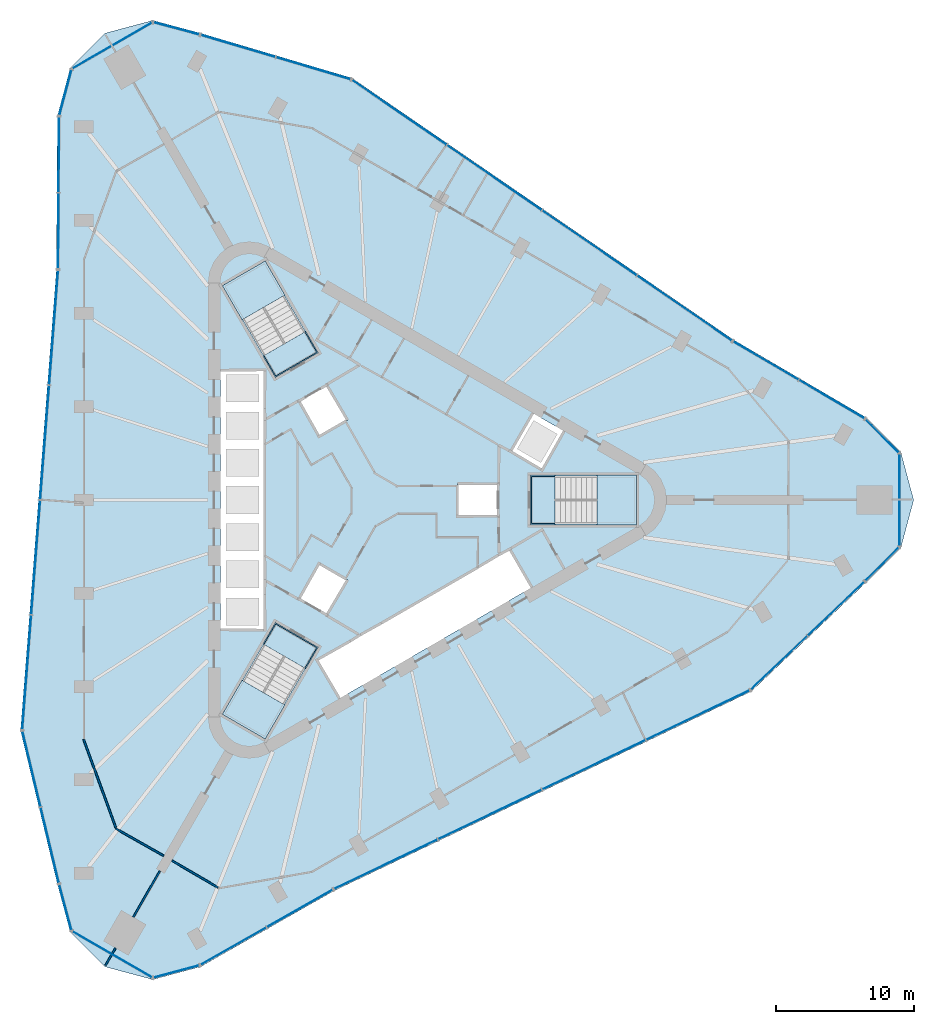
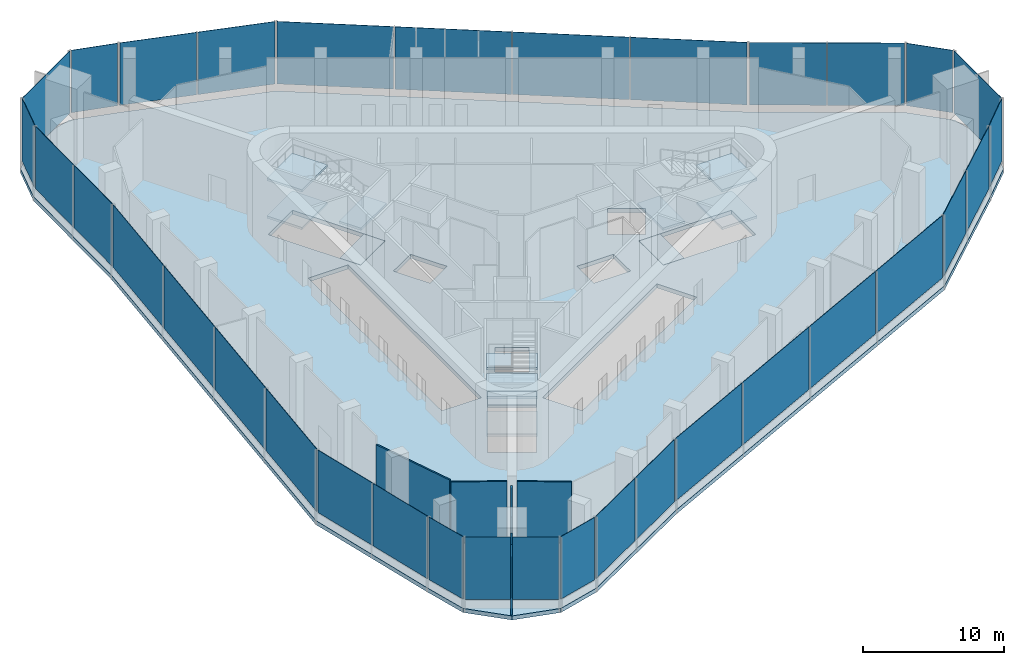
# One storey, part 7 of 15: 33 plates, 13 slabs, 5 walls, 21 elements without a shape of their own.
"""IFC4 building model written with IfcOpenShell, lengths in metres."""

from ifc_helpers import new_model, si_unit, direction, frame, frame_2d, origin, origin_2d, place, context, subcontext, project, spatial, polyline, rectangle, outline, extrude, material, layer, layer_set, type_object, element, aggregate, save


model = new_model("IFC4")

# Units and contexts
model_context = context("Model", 3, precision=1e-05, world=origin(), true_north=direction((0.0, 1.0)))
body_context = subcontext(model_context, "Body", "Model", "MODEL_VIEW")
ifc_project = project(units=[si_unit("LENGTHUNIT", "METRE"), si_unit("AREAUNIT", "SQUARE_METRE"), si_unit("VOLUMEUNIT", "CUBIC_METRE"), si_unit("PLANEANGLEUNIT", "RADIAN"), si_unit("MASSUNIT", "GRAM", prefix="KILO")], contexts=[model_context])

# Site, building, storey
site_placement = place(None, origin())
site = spatial("IfcSite", under=ifc_project, at=site_placement, CompositionType="ELEMENT")
building_placement = place(site_placement, origin())
building = spatial("IfcBuilding", under=site, at=building_placement, Name="Tanit Gate Tower", CompositionType="ELEMENT")
storey_placement = place(building_placement, frame((0.0, 0.0, 277.199951171875)))
storey = spatial("IfcBuildingStorey", under=building, at=storey_placement, Name="L63", CompositionType="ELEMENT", Elevation=277.199951171875)

# Curtain wall, plates
ifc_material_1 = material(Name="Aluminium bronze anodised and glass", Category="aluminium")
curtain_wall_type = type_object("IfcCurtainWallType", Name="Curtain wall sky lobby", PredefinedType="NOTDEFINED", material=ifc_material_1)
curtain_wall_1_placement = place(storey_placement, origin())
curtain_wall_1 = element("IfcCurtainWall", 1, at=curtain_wall_1_placement, inside=storey, type_object=curtain_wall_type, Name="Curtain wall L63 NE1", PredefinedType="NOTDEFINED")
ifc_material_2 = material(Name="Glass tinted laminated safety", Category="glass")
ifc_layer_1 = layer(ifc_material_2, 0.035888671875)
ifc_layer_set_1 = layer_set([ifc_layer_1], Name="Glass panel 36 sky lobby")
plate_type = type_object("IfcPlateType", Name="Glass panel 36 sky lobby", PredefinedType="CURTAIN_PANEL", material=ifc_layer_set_1)
plate_1_placement = place(storey_placement, frame((33.1640625, 7.317626953125, 0.7001953125), z_axis=(0.0, 0.0, 1.0), x_axis=(-0.862821001903, 0.505509563386, 0.0)))
plate_1 = element("IfcPlate", 2, at=plate_1_placement, type_object=plate_type, Name="Glass panel L63 NE1.1", PredefinedType="CURTAIN_PANEL", context=body_context, shape_type="SweptSolid", body=[
    extrude(rectangle(XDim=5.451416015625, YDim=0.035888671875, at=origin_2d()), origin(), (0.0, 0.0, 1.0), 5.39990234375),
])
plate_2_placement = place(storey_placement, frame((28.3916015625, 10.11376953125, 0.7001953125), z_axis=(0.0, 0.0, 1.0), x_axis=(-0.862821001903, 0.505509563386, 0.0)))
plate_2 = element("IfcPlate", 3, at=plate_2_placement, type_object=plate_type, Name="Glass panel L63 NE1.2", PredefinedType="CURTAIN_PANEL", context=body_context, shape_type="SweptSolid", body=[
    extrude(rectangle(XDim=5.451416015625, YDim=0.035888671875, at=origin_2d()), origin(), (0.0, 0.0, 1.0), 5.39990234375),
])
aggregate(curtain_wall_1, [plate_1, plate_2])

curtain_wall_2_placement = place(storey_placement, origin())
curtain_wall_2 = element("IfcCurtainWall", 4, at=curtain_wall_2_placement, inside=storey, type_object=curtain_wall_type, Name="Curtain wall L63 NE2", PredefinedType="NOTDEFINED")
plate_3_placement = place(storey_placement, frame((22.48828125, 13.921630859375, 0.7001953125), z_axis=(0.0, 0.0, 1.0), x_axis=(-0.824556572821, 0.565779513784, 0.0)))
plate_3 = element("IfcPlate", 5, at=plate_3_placement, type_object=plate_type, Name="Glass panel L63 NE2.1", PredefinedType="CURTAIN_PANEL", context=body_context, shape_type="SweptSolid", body=[
    extrude(rectangle(XDim=8.286865234375, YDim=0.035888671875, at=origin_2d()), origin(), (0.0, 0.0, 1.0), 5.39990234375),
])
plate_4_placement = place(storey_placement, frame((15.58935546875, 18.655517578125, 0.7001953125), z_axis=(0.0, 0.0, 1.0), x_axis=(-0.824556572821, 0.565779513784, 0.0)))
plate_4 = element("IfcPlate", 6, at=plate_4_placement, type_object=plate_type, Name="Glass panel L63 NE2.2", PredefinedType="CURTAIN_PANEL", context=body_context, shape_type="SweptSolid", body=[
    extrude(rectangle(XDim=8.286865234375, YDim=0.035888671875, at=origin_2d()), origin(), (0.0, 0.0, 1.0), 5.39990234375),
])
plate_5_placement = place(storey_placement, frame((8.6904296875, 23.38916015625, 0.7001953125), z_axis=(0.0, 0.0, 1.0), x_axis=(-0.824556572821, 0.565779513784, 0.0)))
plate_5 = element("IfcPlate", 7, at=plate_5_placement, type_object=plate_type, Name="Glass panel L63 NE2.3", PredefinedType="CURTAIN_PANEL", context=body_context, shape_type="SweptSolid", body=[
    extrude(rectangle(XDim=8.286865234375, YDim=0.035888671875, at=origin_2d()), origin(), (0.0, 0.0, 1.0), 5.39990234375),
])
plate_6_placement = place(storey_placement, frame((1.79150390625, 28.123046875, 0.7001953125), z_axis=(0.0, 0.0, 1.0), x_axis=(-0.824556572821, 0.565779513784, 0.0)))
plate_6 = element("IfcPlate", 8, at=plate_6_placement, type_object=plate_type, Name="Glass panel L63 NE2.4", PredefinedType="CURTAIN_PANEL", context=body_context, shape_type="SweptSolid", body=[
    extrude(rectangle(XDim=8.286865234375, YDim=0.035888671875, at=origin_2d()), origin(), (0.0, 0.0, 1.0), 5.39990234375),
])
aggregate(curtain_wall_2, [plate_3, plate_4, plate_5, plate_6])

curtain_wall_3_placement = place(storey_placement, origin())
curtain_wall_3 = element("IfcCurtainWall", 9, at=curtain_wall_3_placement, inside=storey, type_object=curtain_wall_type, Name="Curtain wall L63 NE3", PredefinedType="NOTDEFINED")
plate_7_placement = place(storey_placement, frame((-4.454833984375, 31.3310546875, 0.7001953125), z_axis=(0.0, 0.0, 1.0), x_axis=(-0.95884800892, 0.283919875653, 0.0)))
plate_7 = element("IfcPlate", 10, at=plate_7_placement, type_object=plate_type, Name="Glass panel L63 NE3.1", PredefinedType="CURTAIN_PANEL", context=body_context, shape_type="SweptSolid", body=[
    extrude(rectangle(XDim=5.60498046875, YDim=0.035888671875, at=origin_2d()), origin(), (0.0, 0.0, 1.0), 5.39990234375),
])
plate_8_placement = place(storey_placement, frame((-9.906005859375, 32.945068359375, 0.7001953125), z_axis=(0.0, 0.0, 1.0), x_axis=(-0.95884800892, 0.283919875653, 0.0)))
plate_8 = element("IfcPlate", 11, at=plate_8_placement, type_object=plate_type, Name="Glass panel L63 NE3.2", PredefinedType="CURTAIN_PANEL", context=body_context, shape_type="SweptSolid", body=[
    extrude(rectangle(XDim=5.60498046875, YDim=0.035888671875, at=origin_2d()), origin(), (0.0, 0.0, 1.0), 5.39990234375),
])
aggregate(curtain_wall_3, [plate_7, plate_8])

# Curtain wall, plate
curtain_wall_4_placement = place(storey_placement, origin())
curtain_wall_4 = element("IfcCurtainWall", 12, at=curtain_wall_4_placement, inside=storey, type_object=curtain_wall_type, Name="Curtain wall L63 NW.arc1", PredefinedType="NOTDEFINED")
plate_9_placement = place(storey_placement, frame((-14.384521484375, 34.222900390625, 0.7001953125), z_axis=(0.0, 0.0, 1.0), x_axis=(-0.965925826289, 0.258819045103, 0.0)))
plate_9 = element("IfcPlate", 13, at=plate_9_placement, type_object=plate_type, Name="Glass panel L63 NW.arc1.1", PredefinedType="CURTAIN_PANEL", context=body_context, shape_type="SweptSolid", body=[
    extrude(rectangle(XDim=3.3896484375, YDim=0.035888671875, at=origin_2d()), origin(), (0.0, 0.0, 1.0), 5.39990234375),
])
aggregate(curtain_wall_4, [plate_9])

curtain_wall_5_placement = place(storey_placement, origin())
curtain_wall_5 = element("IfcCurtainWall", 14, at=curtain_wall_5_placement, inside=storey, type_object=curtain_wall_type, Name="Curtain wall L63 NW.arc2", PredefinedType="NOTDEFINED")
plate_10_placement = place(storey_placement, frame((-19.04248046875, 32.982666015625, 0.7001953125), z_axis=(0.0, 0.0, 1.0), x_axis=(-0.866025403784, -0.5, 0.0)))
plate_10 = element("IfcPlate", 15, at=plate_10_placement, type_object=plate_type, Name="Glass panel L63 NW.arc2.1", PredefinedType="CURTAIN_PANEL", context=body_context, shape_type="SweptSolid", body=[
    extrude(rectangle(XDim=6.638427734375, YDim=0.035888671875, at=origin_2d()), origin(), (0.0, 0.0, 1.0), 5.39990234375),
])
aggregate(curtain_wall_5, [plate_10])

curtain_wall_6_placement = place(storey_placement, origin())
curtain_wall_6 = element("IfcCurtainWall", 16, at=curtain_wall_6_placement, inside=storey, type_object=curtain_wall_type, Name="Curtain wall L63 NW.arc3", PredefinedType="NOTDEFINED")
plate_11_placement = place(storey_placement, frame((-22.44384765625, 29.575439453125, 0.7001953125), z_axis=(0.0, 0.0, 1.0), x_axis=(-0.258819045103, -0.965925826289, 0.0)))
plate_11 = element("IfcPlate", 17, at=plate_11_placement, type_object=plate_type, Name="Glass panel L63 NW.arc3.1", PredefinedType="CURTAIN_PANEL", context=body_context, shape_type="SweptSolid", body=[
    extrude(rectangle(XDim=3.3759765625, YDim=0.035888671875, at=origin_2d()), origin(), (0.0, 0.0, 1.0), 5.39990234375),
])
aggregate(curtain_wall_6, [plate_11])

# Curtain wall, plates
curtain_wall_7_placement = place(storey_placement, origin())
curtain_wall_7 = element("IfcCurtainWall", 18, at=curtain_wall_7_placement, inside=storey, type_object=curtain_wall_type, Name="Curtain wall L63 W1", PredefinedType="NOTDEFINED")
plate_12_placement = place(storey_placement, frame((-22.91943359375, 25.062255859375, 0.7001953125), z_axis=(0.0, 0.0, 1.0), x_axis=(-0.006373622797, -0.99997968826, 0.0)))
plate_12 = element("IfcPlate", 19, at=plate_12_placement, type_object=plate_type, Name="Glass panel L63 W1.1", PredefinedType="CURTAIN_PANEL", context=body_context, shape_type="SweptSolid", body=[
    extrude(rectangle(XDim=5.451416015625, YDim=0.035888671875, at=origin_2d()), origin(), (0.0, 0.0, 1.0), 5.39990234375),
])
plate_13_placement = place(storey_placement, frame((-22.95458984375, 19.531005859375, 0.7001953125), z_axis=(0.0, 0.0, 1.0), x_axis=(-0.006373622797, -0.99997968826, 0.0)))
plate_13 = element("IfcPlate", 20, at=plate_13_placement, type_object=plate_type, Name="Glass panel L63 W1.2", PredefinedType="CURTAIN_PANEL", context=body_context, shape_type="SweptSolid", body=[
    extrude(rectangle(XDim=5.451416015625, YDim=0.035888671875, at=origin_2d()), origin(), (0.0, 0.0, 1.0), 5.39990234375),
])
aggregate(curtain_wall_7, [plate_12, plate_13])

curtain_wall_8_placement = place(storey_placement, origin())
curtain_wall_8 = element("IfcCurtainWall", 21, at=curtain_wall_8_placement, inside=storey, type_object=curtain_wall_type, Name="Curtain wall L63 W2", PredefinedType="NOTDEFINED")
plate_14_placement = place(storey_placement, frame((-23.30078125, 12.5146484375, 0.7001953125), z_axis=(0.0, 0.0, 1.0), x_axis=(-0.077701145467, -0.996976695812, 0.0)))
plate_14 = element("IfcPlate", 22, at=plate_14_placement, type_object=plate_type, Name="Glass panel L63 W2.1", PredefinedType="CURTAIN_PANEL", context=body_context, shape_type="SweptSolid", body=[
    extrude(rectangle(XDim=8.286865234375, YDim=0.035888671875, at=origin_2d()), origin(), (0.0, 0.0, 1.0), 5.39990234375),
])
plate_15_placement = place(storey_placement, frame((-23.950927734375, 4.173095703125, 0.7001953125), z_axis=(0.0, 0.0, 1.0), x_axis=(-0.077701145467, -0.996976695812, 0.0)))
plate_15 = element("IfcPlate", 23, at=plate_15_placement, type_object=plate_type, Name="Glass panel L63 W2.2", PredefinedType="CURTAIN_PANEL", context=body_context, shape_type="SweptSolid", body=[
    extrude(rectangle(XDim=8.286865234375, YDim=0.035888671875, at=origin_2d()), origin(), (0.0, 0.0, 1.0), 5.39990234375),
])
plate_16_placement = place(storey_placement, frame((-24.600830078125, -4.16845703125, 0.7001953125), z_axis=(0.0, 0.0, 1.0), x_axis=(-0.077701145467, -0.996976695812, 0.0)))
plate_16 = element("IfcPlate", 24, at=plate_16_placement, type_object=plate_type, Name="Glass panel L63 W2.3", PredefinedType="CURTAIN_PANEL", context=body_context, shape_type="SweptSolid", body=[
    extrude(rectangle(XDim=8.286865234375, YDim=0.035888671875, at=origin_2d()), origin(), (0.0, 0.0, 1.0), 5.39990234375),
])
plate_17_placement = place(storey_placement, frame((-25.2509765625, -12.510009765625, 0.7001953125), z_axis=(0.0, 0.0, 1.0), x_axis=(-0.077701145467, -0.996976695812, 0.0)))
plate_17 = element("IfcPlate", 25, at=plate_17_placement, type_object=plate_type, Name="Glass panel L63 W2.4", PredefinedType="CURTAIN_PANEL", context=body_context, shape_type="SweptSolid", body=[
    extrude(rectangle(XDim=8.286865234375, YDim=0.035888671875, at=origin_2d()), origin(), (0.0, 0.0, 1.0), 5.39990234375),
])
aggregate(curtain_wall_8, [plate_14, plate_15, plate_16, plate_17])

curtain_wall_9_placement = place(storey_placement, origin())
curtain_wall_9 = element("IfcCurtainWall", 26, at=curtain_wall_9_placement, inside=storey, type_object=curtain_wall_type, Name="Curtain wall L63 W3", PredefinedType="NOTDEFINED")
plate_18_placement = place(storey_placement, frame((-24.906005859375, -19.523681640625, 0.7001953125), z_axis=(0.0, 0.0, 1.0), x_axis=(0.233542179505, -0.972346671919, 0.0)))
plate_18 = element("IfcPlate", 27, at=plate_18_placement, type_object=plate_type, Name="Glass panel L63 W3.1", PredefinedType="CURTAIN_PANEL", context=body_context, shape_type="SweptSolid", body=[
    extrude(rectangle(XDim=5.60498046875, YDim=0.035888671875, at=origin_2d()), origin(), (0.0, 0.0, 1.0), 5.39990234375),
])
plate_19_placement = place(storey_placement, frame((-23.578369140625, -25.051513671875, 0.7001953125), z_axis=(0.0, 0.0, 1.0), x_axis=(0.233542179505, -0.972346671919, 0.0)))
plate_19 = element("IfcPlate", 28, at=plate_19_placement, type_object=plate_type, Name="Glass panel L63 W3.2", PredefinedType="CURTAIN_PANEL", context=body_context, shape_type="SweptSolid", body=[
    extrude(rectangle(XDim=5.60498046875, YDim=0.035888671875, at=origin_2d()), origin(), (0.0, 0.0, 1.0), 5.39990234375),
])
aggregate(curtain_wall_9, [plate_18, plate_19])

# Curtain wall, plate
curtain_wall_10_placement = place(storey_placement, origin())
curtain_wall_10 = element("IfcCurtainWall", 29, at=curtain_wall_10_placement, inside=storey, type_object=curtain_wall_type, Name="Curtain wall L63 SW.arc1", PredefinedType="NOTDEFINED")
plate_20_placement = place(storey_placement, frame((-22.44580078125, -29.56884765625, 0.7001953125), z_axis=(0.0, 0.0, 1.0), x_axis=(0.258819045103, -0.965925826289, 0.0)))
plate_20 = element("IfcPlate", 30, at=plate_20_placement, type_object=plate_type, Name="Glass panel L63 SW.arc1.1", PredefinedType="CURTAIN_PANEL", context=body_context, shape_type="SweptSolid", body=[
    extrude(rectangle(XDim=3.3896484375, YDim=0.035888671875, at=origin_2d()), origin(), (0.0, 0.0, 1.0), 5.39990234375),
])
aggregate(curtain_wall_10, [plate_20])

curtain_wall_11_placement = place(storey_placement, origin())
curtain_wall_11 = element("IfcCurtainWall", 31, at=curtain_wall_11_placement, inside=storey, type_object=curtain_wall_type, Name="Curtain wall L63 SW.arc2", PredefinedType="NOTDEFINED")
plate_21_placement = place(storey_placement, frame((-19.04248046875, -32.982666015625, 0.7001953125), z_axis=(0.0, 0.0, 1.0), x_axis=(0.866025403784, -0.5, 0.0)))
plate_21 = element("IfcPlate", 32, at=plate_21_placement, type_object=plate_type, Name="Glass panel L63 SW.arc2.1", PredefinedType="CURTAIN_PANEL", context=body_context, shape_type="SweptSolid", body=[
    extrude(rectangle(XDim=6.638427734375, YDim=0.035888671875, at=origin_2d()), origin(), (0.0, 0.0, 1.0), 5.39990234375),
])
aggregate(curtain_wall_11, [plate_21])

curtain_wall_12_placement = place(storey_placement, origin())
curtain_wall_12 = element("IfcCurtainWall", 33, at=curtain_wall_12_placement, inside=storey, type_object=curtain_wall_type, Name="Curtain wall L63 SW.arc3", PredefinedType="NOTDEFINED")
plate_22_placement = place(storey_placement, frame((-14.39111328125, -34.224853515625, 0.7001953125), z_axis=(0.0, 0.0, 1.0), x_axis=(0.965925826289, 0.258819045103, 0.0)))
plate_22 = element("IfcPlate", 34, at=plate_22_placement, type_object=plate_type, Name="Glass panel L63 SW.arc3.1", PredefinedType="CURTAIN_PANEL", context=body_context, shape_type="SweptSolid", body=[
    extrude(rectangle(XDim=3.3759765625, YDim=0.035888671875, at=origin_2d()), origin(), (0.0, 0.0, 1.0), 5.39990234375),
])
aggregate(curtain_wall_12, [plate_22])

# Curtain wall, plates
curtain_wall_13_placement = place(storey_placement, origin())
curtain_wall_13 = element("IfcCurtainWall", 35, at=curtain_wall_13_placement, inside=storey, type_object=curtain_wall_type, Name="Curtain wall L63 SE1", PredefinedType="NOTDEFINED")
plate_23_placement = place(storey_placement, frame((-10.244873046875, -32.3798828125, 0.7001953125), z_axis=(0.0, 0.0, 1.0), x_axis=(0.8691946247, 0.494470124873, 0.0)))
plate_23 = element("IfcPlate", 36, at=plate_23_placement, type_object=plate_type, Name="Glass panel L63 SE1.1", PredefinedType="CURTAIN_PANEL", context=body_context, shape_type="SweptSolid", body=[
    extrude(rectangle(XDim=5.451416015625, YDim=0.035888671875, at=origin_2d()), origin(), (0.0, 0.0, 1.0), 5.39990234375),
])
plate_24_placement = place(storey_placement, frame((-5.43701171875, -29.644775390625, 0.7001953125), z_axis=(0.0, 0.0, 1.0), x_axis=(0.8691946247, 0.494470124873, 0.0)))
plate_24 = element("IfcPlate", 37, at=plate_24_placement, type_object=plate_type, Name="Glass panel L63 SE1.2", PredefinedType="CURTAIN_PANEL", context=body_context, shape_type="SweptSolid", body=[
    extrude(rectangle(XDim=5.451416015625, YDim=0.035888671875, at=origin_2d()), origin(), (0.0, 0.0, 1.0), 5.39990234375),
])
aggregate(curtain_wall_13, [plate_23, plate_24])

curtain_wall_14_placement = place(storey_placement, origin())
curtain_wall_14 = element("IfcCurtainWall", 38, at=curtain_wall_14_placement, inside=storey, type_object=curtain_wall_type, Name="Curtain wall L63 SE2", PredefinedType="NOTDEFINED")
plate_25_placement = place(storey_placement, frame((0.812255859375, -26.436279296875, 0.7001953125), z_axis=(0.0, 0.0, 1.0), x_axis=(0.902257718288, 0.431197182029, 0.0)))
plate_25 = element("IfcPlate", 39, at=plate_25_placement, type_object=plate_type, Name="Glass panel L63 SE2.1", PredefinedType="CURTAIN_PANEL", context=body_context, shape_type="SweptSolid", body=[
    extrude(rectangle(XDim=8.286865234375, YDim=0.035888671875, at=origin_2d()), origin(), (0.0, 0.0, 1.0), 5.39990234375),
])
plate_26_placement = place(storey_placement, frame((8.361572265625, -22.82861328125, 0.7001953125), z_axis=(0.0, 0.0, 1.0), x_axis=(0.902257718288, 0.431197182029, 0.0)))
plate_26 = element("IfcPlate", 40, at=plate_26_placement, type_object=plate_type, Name="Glass panel L63 SE2.2", PredefinedType="CURTAIN_PANEL", context=body_context, shape_type="SweptSolid", body=[
    extrude(rectangle(XDim=8.286865234375, YDim=0.035888671875, at=origin_2d()), origin(), (0.0, 0.0, 1.0), 5.39990234375),
])
plate_27_placement = place(storey_placement, frame((15.910400390625, -19.220703125, 0.7001953125), z_axis=(0.0, 0.0, 1.0), x_axis=(0.902257718288, 0.431197182029, 0.0)))
plate_27 = element("IfcPlate", 41, at=plate_27_placement, type_object=plate_type, Name="Glass panel L63 SE2.3", PredefinedType="CURTAIN_PANEL", context=body_context, shape_type="SweptSolid", body=[
    extrude(rectangle(XDim=8.286865234375, YDim=0.035888671875, at=origin_2d()), origin(), (0.0, 0.0, 1.0), 5.39990234375),
])
plate_28_placement = place(storey_placement, frame((23.45947265625, -15.613037109375, 0.7001953125), z_axis=(0.0, 0.0, 1.0), x_axis=(0.902257718288, 0.431197182029, 0.0)))
plate_28 = element("IfcPlate", 42, at=plate_28_placement, type_object=plate_type, Name="Glass panel L63 SE2.4", PredefinedType="CURTAIN_PANEL", context=body_context, shape_type="SweptSolid", body=[
    extrude(rectangle(XDim=8.286865234375, YDim=0.035888671875, at=origin_2d()), origin(), (0.0, 0.0, 1.0), 5.39990234375),
])
aggregate(curtain_wall_14, [plate_25, plate_26, plate_27, plate_28])

curtain_wall_15_placement = place(storey_placement, origin())
curtain_wall_15 = element("IfcCurtainWall", 43, at=curtain_wall_15_placement, inside=storey, type_object=curtain_wall_type, Name="Curtain wall L63 SE3", PredefinedType="NOTDEFINED")
plate_29_placement = place(storey_placement, frame((29.36083984375, -11.807373046875, 0.7001953125), z_axis=(0.0, 0.0, 1.0), x_axis=(0.725305829415, 0.688426796266, 0.0)))
plate_29 = element("IfcPlate", 44, at=plate_29_placement, type_object=plate_type, Name="Glass panel L63 SE3.1", PredefinedType="CURTAIN_PANEL", context=body_context, shape_type="SweptSolid", body=[
    extrude(rectangle(XDim=5.60498046875, YDim=0.035888671875, at=origin_2d()), origin(), (0.0, 0.0, 1.0), 5.39990234375),
])
plate_30_placement = place(storey_placement, frame((33.484375, -7.8935546875, 0.7001953125), z_axis=(0.0, 0.0, 1.0), x_axis=(0.725305829415, 0.688426796266, 0.0)))
plate_30 = element("IfcPlate", 45, at=plate_30_placement, type_object=plate_type, Name="Glass panel L63 SE3.2", PredefinedType="CURTAIN_PANEL", context=body_context, shape_type="SweptSolid", body=[
    extrude(rectangle(XDim=5.60498046875, YDim=0.035888671875, at=origin_2d()), origin(), (0.0, 0.0, 1.0), 5.39990234375),
])
aggregate(curtain_wall_15, [plate_29, plate_30])

# Curtain wall, plate
curtain_wall_16_placement = place(storey_placement, origin())
curtain_wall_16 = element("IfcCurtainWall", 46, at=curtain_wall_16_placement, inside=storey, type_object=curtain_wall_type, Name="Curtain wall L63 E.arc1", PredefinedType="NOTDEFINED")
plate_31_placement = place(storey_placement, frame((36.830078125, -4.654296875, 0.7001953125), z_axis=(0.0, 0.0, 1.0), x_axis=(0.707106781187, 0.707106781187, 0.0)))
plate_31 = element("IfcPlate", 47, at=plate_31_placement, type_object=plate_type, Name="Glass panel L63 E.arc1.1", PredefinedType="CURTAIN_PANEL", context=body_context, shape_type="SweptSolid", body=[
    extrude(rectangle(XDim=3.3896484375, YDim=0.035888671875, at=origin_2d()), origin(), (0.0, 0.0, 1.0), 5.39990234375),
])
aggregate(curtain_wall_16, [plate_31])

curtain_wall_17_placement = place(storey_placement, origin())
curtain_wall_17 = element("IfcCurtainWall", 48, at=curtain_wall_17_placement, inside=storey, type_object=curtain_wall_type, Name="Curtain wall L63 E.arc2", PredefinedType="NOTDEFINED")
plate_32_placement = place(storey_placement, frame((38.085205078125, 0.0, 0.7001953125), z_axis=(0.0, 0.0, 1.0), x_axis=(0.0, 1.0, 0.0)))
plate_32 = element("IfcPlate", 49, at=plate_32_placement, type_object=plate_type, Name="Glass panel L63 E.arc2.1", PredefinedType="CURTAIN_PANEL", context=body_context, shape_type="SweptSolid", body=[
    extrude(rectangle(XDim=6.638427734375, YDim=0.035888671875, at=origin_2d()), origin(), (0.0, 0.0, 1.0), 5.39990234375),
])
aggregate(curtain_wall_17, [plate_32])

curtain_wall_18_placement = place(storey_placement, origin())
curtain_wall_18 = element("IfcCurtainWall", 50, at=curtain_wall_18_placement, inside=storey, type_object=curtain_wall_type, Name="Curtain wall L63 E.arc3", PredefinedType="NOTDEFINED")
plate_33_placement = place(storey_placement, frame((36.8349609375, 4.6494140625, 0.7001953125), z_axis=(0.0, 0.0, 1.0), x_axis=(-0.707106781187, 0.707106781187, 0.0)))
plate_33 = element("IfcPlate", 51, at=plate_33_placement, type_object=plate_type, Name="Glass panel L63 E.arc3.1", PredefinedType="CURTAIN_PANEL", context=body_context, shape_type="SweptSolid", body=[
    extrude(rectangle(XDim=3.3759765625, YDim=0.035888671875, at=origin_2d()), origin(), (0.0, 0.0, 1.0), 5.39990234375),
])
aggregate(curtain_wall_18, [plate_33])

# Stair, slabs
ifc_material_3 = material(Name="Concrete C40/50", Category="concrete")
stair_type = type_object("IfcStairType", Name="INT-STAIR-EXIT", PredefinedType="HALF_TURN_STAIR", material=ifc_material_3)
stair_1_placement = place(storey_placement, origin())
stair_1 = element("IfcStair", 52, at=stair_1_placement, inside=storey, type_object=stair_type, Name="L63 STAIR S1", PredefinedType="HALF_TURN_STAIR")
ifc_material_4 = material(Name="Concrete C40/50", Category="concrete")
ifc_layer_2 = layer(ifc_material_4, 0.199951171875)
ifc_layer_set_2 = layer_set([ifc_layer_2], Name="INT-STAIR-LANDING")
slab_type_1 = type_object("IfcSlabType", Name="INT-STAIR-LANDING", PredefinedType="LANDING", material=ifc_layer_set_2)
slab_1_placement = place(storey_placement, frame((0.0, 0.0, 1.425048828125)))
slab_1 = element("IfcSlab", 53, at=slab_1_placement, type_object=slab_type_1, Name="S1 landing 1", PredefinedType="LANDING", context=body_context, shape_type="SweptSolid", body=[
    extrude(outline(polyline([(16.135986328125, -1.800048828125), (19.0, -1.800048828125), (19.0, 1.800048828125), (16.135986328125, 1.800048828125), (16.135986328125, -1.800048828125)])), origin(), (0.0, 0.0, 1.0), 0.199951171875),
])
slab_2_placement = place(storey_placement, frame((0.0, 0.0, 3.050048828125)))
slab_2 = element("IfcSlab", 54, at=slab_2_placement, type_object=slab_type_1, Name="S1 landing 2", PredefinedType="LANDING", context=body_context, shape_type="SweptSolid", body=[
    extrude(outline(polyline([(11.300048828125, -1.800048828125), (13.10498046875, -1.800048828125), (13.10498046875, 1.800048828125), (11.300048828125, 1.800048828125), (11.300048828125, -1.800048828125)])), origin(), (0.0, 0.0, 1.0), 0.199951171875),
])
slab_3_placement = place(storey_placement, frame((0.0, 0.0, 4.675048828125)))
slab_3 = element("IfcSlab", 55, at=slab_3_placement, type_object=slab_type_1, Name="S1 landing 3", PredefinedType="LANDING", context=body_context, shape_type="SweptSolid", body=[
    extrude(outline(polyline([(16.135986328125, -1.800048828125), (19.0, -1.800048828125), (19.0, 1.800048828125), (16.135986328125, 1.800048828125), (16.135986328125, -1.800048828125)])), origin(), (0.0, 0.0, 1.0), 0.199951171875),
])
aggregate(stair_1, [slab_1, slab_2, slab_3])

# Slab
slab_4_placement = place(storey_placement, frame((0.0, 0.0, -0.199951171875)))
element("IfcSlab", 56, at=slab_4_placement, inside=storey, type_object=slab_type_1, Name="S1 floor landing", PredefinedType="LANDING", context=body_context, shape_type="SweptSolid", body=[
    extrude(outline(polyline([(11.3798828125, -1.719970703125), (13.10498046875, -1.719970703125), (13.10498046875, 1.719970703125), (11.3798828125, 1.719970703125), (11.3798828125, -1.719970703125)])), origin(), (0.0, 0.0, 1.0), 0.199951171875),
])

# Stair, slabs
stair_2_placement = place(storey_placement, origin())
stair_2 = element("IfcStair", 57, at=stair_2_placement, inside=storey, type_object=stair_type, Name="L63 STAIR S2", PredefinedType="HALF_TURN_STAIR")
slab_5_placement = place(storey_placement, frame((0.0, 0.0, 1.425048828125)))
slab_5 = element("IfcSlab", 58, at=slab_5_placement, type_object=slab_type_1, Name="S2 landing 1", PredefinedType="LANDING", context=body_context, shape_type="SweptSolid", body=[
    extrude(outline(polyline([(-6.5078125, 14.871826171875), (-7.941162109375, 17.3544921875), (-11.058837890625, 15.554443359375), (-9.62548828125, 13.07177734375), (-6.5078125, 14.871826171875)])), origin(), (0.0, 0.0, 1.0), 0.199951171875),
])
slab_6_placement = place(storey_placement, frame((0.0, 0.0, 3.050048828125)))
slab_6 = element("IfcSlab", 59, at=slab_6_placement, type_object=slab_type_1, Name="S2 landing 2", PredefinedType="LANDING", context=body_context, shape_type="SweptSolid", body=[
    extrude(outline(polyline([(-4.091064453125, 10.68603515625), (-4.9931640625, 12.248291015625), (-8.11083984375, 10.448486328125), (-7.208740234375, 8.885986328125), (-4.091064453125, 10.68603515625)])), origin(), (0.0, 0.0, 1.0), 0.199951171875),
])
slab_7_placement = place(storey_placement, frame((0.0, 0.0, 4.675048828125)))
slab_7 = element("IfcSlab", 60, at=slab_7_placement, type_object=slab_type_1, Name="S2 landing 3", PredefinedType="LANDING", context=body_context, shape_type="SweptSolid", body=[
    extrude(outline(polyline([(-6.5078125, 14.871826171875), (-7.941162109375, 17.3544921875), (-11.058837890625, 15.554443359375), (-9.62548828125, 13.07177734375), (-6.5078125, 14.871826171875)])), origin(), (0.0, 0.0, 1.0), 0.199951171875),
])
aggregate(stair_2, [slab_5, slab_6, slab_7])

# Slab
slab_8_placement = place(storey_placement, frame((0.0, 0.0, -0.199951171875)))
element("IfcSlab", 61, at=slab_8_placement, inside=storey, type_object=slab_type_1, Name="S2 floor landing", PredefinedType="LANDING", context=body_context, shape_type="SweptSolid", body=[
    extrude(outline(polyline([(-4.200439453125, 10.71533203125), (-5.0625, 12.20849609375), (-8.04150390625, 10.48828125), (-7.179443359375, 8.995361328125), (-4.200439453125, 10.71533203125)])), origin(), (0.0, 0.0, 1.0), 0.199951171875),
])

# Stair, slabs
stair_3_placement = place(storey_placement, origin())
stair_3 = element("IfcStair", 62, at=stair_3_placement, inside=storey, type_object=stair_type, Name="L63 STAIR S3", PredefinedType="HALF_TURN_STAIR")
slab_9_placement = place(storey_placement, frame((0.0, 0.0, 1.425048828125)))
slab_9 = element("IfcSlab", 63, at=slab_9_placement, type_object=slab_type_1, Name="S3 landing 1", PredefinedType="LANDING", context=body_context, shape_type="SweptSolid", body=[
    extrude(outline(polyline([(-9.626953125, -13.07421875), (-11.058837890625, -15.554443359375), (-7.941162109375, -17.3544921875), (-6.509033203125, -14.874267578125), (-9.626953125, -13.07421875)])), origin(), (0.0, 0.0, 1.0), 0.199951171875),
])
slab_10_placement = place(storey_placement, frame((0.0, 0.0, 3.050048828125)))
slab_10 = element("IfcSlab", 64, at=slab_10_placement, type_object=slab_type_1, Name="S3 landing 2", PredefinedType="LANDING", context=body_context, shape_type="SweptSolid", body=[
    extrude(outline(polyline([(-7.208740234375, -8.885986328125), (-8.111328125, -10.44921875), (-4.99365234375, -12.249267578125), (-4.091064453125, -10.68603515625), (-7.208740234375, -8.885986328125)])), origin(), (0.0, 0.0, 1.0), 0.199951171875),
])
slab_11_placement = place(storey_placement, frame((0.0, 0.0, 4.675048828125)))
slab_11 = element("IfcSlab", 65, at=slab_11_placement, type_object=slab_type_1, Name="S3 landing 3", PredefinedType="LANDING", context=body_context, shape_type="SweptSolid", body=[
    extrude(outline(polyline([(-9.626953125, -13.07421875), (-11.058837890625, -15.554443359375), (-7.941162109375, -17.3544921875), (-6.509033203125, -14.874267578125), (-9.626953125, -13.07421875)])), origin(), (0.0, 0.0, 1.0), 0.199951171875),
])
aggregate(stair_3, [slab_9, slab_10, slab_11])

# Slabs
slab_12_placement = place(storey_placement, frame((0.0, 0.0, -0.199951171875)))
element("IfcSlab", 66, at=slab_12_placement, inside=storey, type_object=slab_type_1, Name="S3 floor landing", PredefinedType="LANDING", context=body_context, shape_type="SweptSolid", body=[
    extrude(outline(polyline([(-7.179443359375, -8.995361328125), (-8.0419921875, -10.4892578125), (-5.06298828125, -12.209228515625), (-4.200439453125, -10.71533203125), (-7.179443359375, -8.995361328125)])), origin(), (0.0, 0.0, 1.0), 0.199951171875),
])
ifc_material_5 = material(Name="Concrete C35/45", Category="concrete")
ifc_layer_3 = layer(ifc_material_5, 0.35009765625)
ifc_layer_set_3 = layer_set([ifc_layer_3], Name="SKY LOBBY FLOOR SLAB 350 C35/45")
slab_type_2 = type_object("IfcSlabType", Name="SKY LOBBY FLOOR SLAB 350 C35/45", PredefinedType="FLOOR", material=ifc_layer_set_3)
slab_13_placement = place(storey_placement, frame((0.0, 0.0, -0.349853515625)))
element("IfcSlab", 67, at=slab_13_placement, inside=storey, type_object=slab_type_2, Name="FLOOR SLAB L63", PredefinedType="FLOOR", context=body_context, shape_type="SweptSolid", body=[
    extrude(outline(polyline([(35.658935546875, 5.9951171875), (38.19287109375, 3.461181640625), (39.1201171875, 0.0), (38.19287109375, -3.461181640625), (35.658935546875, -5.9951171875), (27.339111328125, -13.89208984375), (-2.942626953125, -28.364013671875), (-12.637451171875, -33.879150390625), (-16.098876953125, -34.806640625), (-19.56005859375, -33.879150390625), (-22.093994140625, -31.34521484375), (-23.021484375, -27.8837890625), (-25.7001953125, -16.73046875), (-23.092529296875, 16.73046875), (-23.021484375, 27.8837890625), (-22.093994140625, 31.34521484375), (-19.56005859375, 33.879150390625), (-16.098876953125, 34.806640625), (-12.637451171875, 33.879150390625), (-1.638671875, 30.622314453125), (26.03515625, 11.633544921875), (35.658935546875, 5.9951171875)]), holes=[polyline([(11.3701171875, 1.72998046875), (18.929931640625, 1.72998046875), (18.929931640625, -1.72998046875), (11.3701171875, -1.72998046875), (11.3701171875, 1.72998046875)]), polyline([(9.82080078125, 3.510009765625), (11.44580078125, 6.324462890625), (13.783935546875, 4.974609375), (12.158935546875, 2.159912109375), (9.82080078125, 3.510009765625)]), polyline([(-4.208984375, -11.60986328125), (9.82080078125, -3.510009765625), (11.44580078125, -6.324462890625), (-2.583984375, -14.424560546875), (-4.208984375, -11.60986328125)]), polyline([(6.0, 1.199951171875), (9.0, 1.199951171875), (9.0, -1.199951171875), (6.0, -1.199951171875), (6.0, 1.199951171875)]), polyline([(-5.539306640625, 7.194091796875), (-3.460693359375, 8.394287109375), (-1.960693359375, 5.796142578125), (-4.039306640625, 4.59619140625), (-5.539306640625, 7.194091796875)]), polyline([(-1.960693359375, -5.796142578125), (-3.460693359375, -8.394287109375), (-5.539306640625, -7.194091796875), (-4.039306640625, -4.59619140625), (-1.960693359375, -5.796142578125)]), polyline([(-10.963134765625, 15.52880859375), (-7.966796875, 17.2587890625), (-4.186767578125, 10.711669921875), (-7.18310546875, 8.981689453125), (-10.963134765625, 15.52880859375)]), polyline([(-4.186767578125, -10.711669921875), (-7.966796875, -17.2587890625), (-10.963134765625, -15.52880859375), (-7.18310546875, -8.981689453125), (-4.186767578125, -10.711669921875)]), polyline([(-11.199951171875, -9.449951171875), (-11.199951171875, 9.449951171875), (-7.949951171875, 9.449951171875), (-7.949951171875, -9.449951171875), (-11.199951171875, -9.449951171875)])]), origin(), (0.0, 0.0, 1.0), 0.349853515625),
])

# Walls
ifc_material_6 = material(Name="Gypsum board partition")
ifc_layer_4 = layer(ifc_material_6, 0.1201171875)
ifc_layer_set_4 = layer_set([ifc_layer_4], Name="INT-WALL-PARTITION")
wall_type = type_object("IfcWallType", Name="INT-WALL-PARTITION", PredefinedType="PARTITIONING", material=ifc_layer_set_4)
wall_1_placement = place(storey_placement, frame((-18.7763671875, -23.85400390625, 0.0), z_axis=(0.0, 0.0, 1.0), x_axis=(0.869466128771, -0.493992561603, 0.0)))
element("IfcWall", 68, at=wall_1_placement, inside=storey, type_object=wall_type, Name="Wall Partition W091", PredefinedType="PARTITIONING", context=body_context, shape_type="SweptSolid", body=[
    extrude(rectangle(XDim=3.98388671875, YDim=0.1201171875, at=frame_2d((1.991943359375, 0.0))), origin(), (0.0, 0.0, 1.0), 5.280029296875),
])
wall_2_placement = place(storey_placement, frame((-21.12060546875, -17.37158203125, 0.0), z_axis=(0.0, 0.0, 1.0), x_axis=(0.342021948339, -0.939691963813, 0.0)))
element("IfcWall", 69, at=wall_2_placement, inside=storey, type_object=wall_type, Name="Wall Partition W092", PredefinedType="PARTITIONING", context=body_context, shape_type="SweptSolid", body=[
    extrude(rectangle(XDim=6.817626953125, YDim=0.1201171875, at=frame_2d((3.40869140625, 0.0))), origin(), (0.0, 0.0, 1.0), 5.380126953125),
])
wall_3_placement = place(storey_placement, frame((-19.52001953125, -33.74951171875, 0.0), z_axis=(0.0, 0.0, 1.0), x_axis=(0.50006528296, 0.865987709369, 0.0)))
element("IfcWall", 70, at=wall_3_placement, inside=storey, type_object=wall_type, Name="Wall Partition W097", PredefinedType="PARTITIONING", context=body_context, shape_type="SweptSolid", body=[
    extrude(rectangle(XDim=1.417724609375, YDim=0.1201171875, at=frame_2d((0.708984375, 0.0))), origin(), (0.0, 0.0, 1.0), 6.10009765625),
])
wall_4_placement = place(storey_placement, frame((-17.510986328125, -30.27001953125, 0.0), z_axis=(0.0, 0.0, 1.0), x_axis=(0.499980071345, 0.866036909293, 0.0)))
element("IfcWall", 71, at=wall_4_placement, inside=storey, type_object=wall_type, Name="Wall Partition W098", PredefinedType="PARTITIONING", context=body_context, shape_type="SweptSolid", body=[
    extrude(rectangle(XDim=3.855712890625, YDim=0.1201171875, at=frame_2d((1.927734375, 0.0))), origin(), (0.0, 0.0, 1.0), 5.670166015625),
])
wall_5_placement = place(storey_placement, frame((-14.706298828125, -26.171875, 0.0), z_axis=(0.0, 0.0, 1.0), x_axis=(0.862517562179, -0.506027128652, 0.0)))
element("IfcWall", 72, at=wall_5_placement, inside=storey, type_object=wall_type, Name="Wall Partition W114", PredefinedType="PARTITIONING", context=body_context, shape_type="SweptSolid", body=[
    extrude(rectangle(XDim=3.869384765625, YDim=0.1201171875, at=frame_2d((1.9345703125, 0.0))), origin(), (0.0, 0.0, 1.0), 5.280029296875),
])

save(model, "model.ifc")
